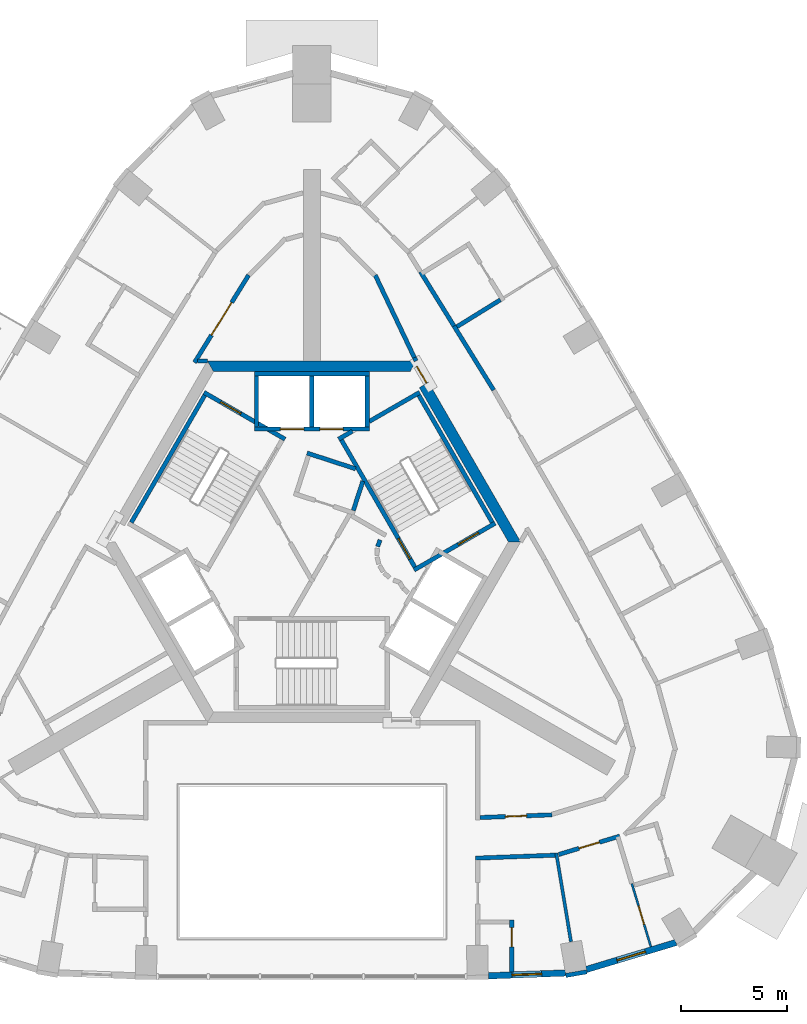
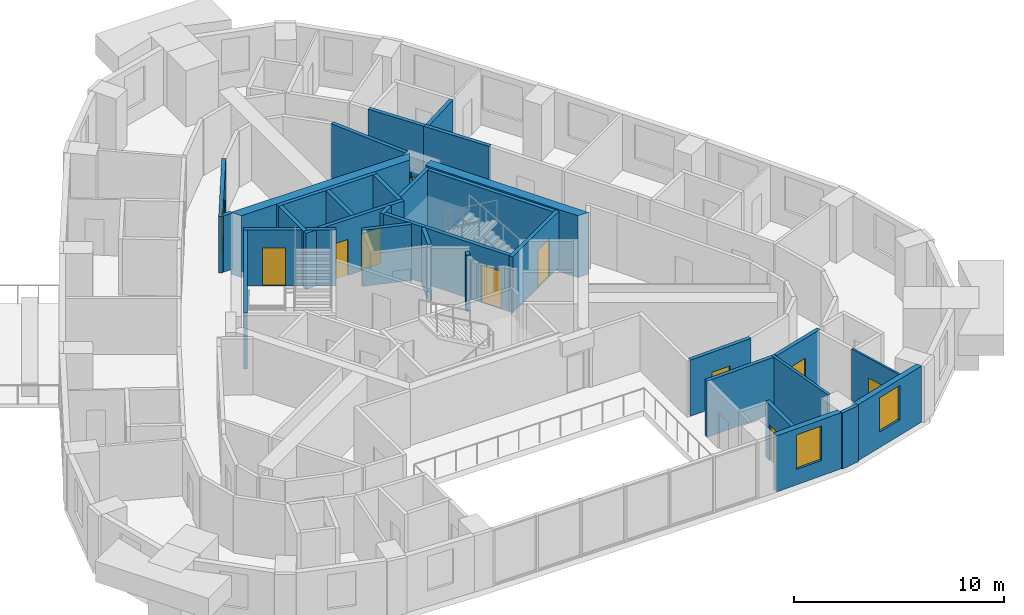
# One storey, part 6 of 11: 34 walls, 11 doors, 2 windows, 13 openings.
"""IFC4 building model written with IfcOpenShell, lengths in metres."""

from ifc_helpers import new_model, si_unit, direction, frame, frame_2d, origin, place, context, subcontext, project, spatial, polyline, rectangle, outline, extrude, material, layer, layer_set, type_object, element, fill, save


model = new_model("IFC4")

# Units and contexts
model_context = context("Model", 3, precision=1e-05, world=origin(), true_north=direction((0.0, 1.0)))
body_context = subcontext(model_context, "Body", "Model", "MODEL_VIEW")
ifc_project = project(units=[si_unit("LENGTHUNIT", "METRE"), si_unit("AREAUNIT", "SQUARE_METRE"), si_unit("VOLUMEUNIT", "CUBIC_METRE"), si_unit("PLANEANGLEUNIT", "RADIAN"), si_unit("MASSUNIT", "GRAM", prefix="KILO")], contexts=[model_context])

# Site, building, storey
site_placement = place(None, origin())
site = spatial("IfcSite", under=ifc_project, at=site_placement, CompositionType="ELEMENT")
building_placement = place(site_placement, origin())
building = spatial("IfcBuilding", under=site, at=building_placement, Name="Entoto Arch Interchange Tower", CompositionType="ELEMENT")
storey_placement = place(building_placement, frame((0.0, 0.0, 304.39990234375)))
storey = spatial("IfcBuildingStorey", under=building, at=storey_placement, Name="L71", CompositionType="ELEMENT", Elevation=304.39990234375)

# Wall, opening, door
ifc_material_1 = material(Name="Reinforced concrete C40/50", Category="concrete")
ifc_layer_1 = layer(ifc_material_1, 0.199951171875)
ifc_layer_set_1 = layer_set([ifc_layer_1], Name="Reinforced concrete C40/50")
wall_type_1 = type_object("IfcWallType", Name="CORE GAP INFILL WALL", PredefinedType="PARTITIONING", material=ifc_layer_set_1)
wall_1_placement = place(storey_placement, frame((5.39892578125, 9.947998046875, 0.0), z_axis=(0.0, 0.0, 1.0), x_axis=(-0.499882215713, 0.866093395895, 0.0)))
wall_1 = element("IfcWall", 1, at=wall_1_placement, inside=storey, type_object=wall_type_1, Name="wall:L71:gap2", PredefinedType="PARTITIONING", context=body_context, shape_type="SweptSolid", body=[
    extrude(rectangle(XDim=0.926025390625, YDim=0.199951171875, at=frame_2d((0.462890625, 0.0))), origin(), (0.0, 0.0, 1.0), 2.400146484375),
])
opening_1_placement = place(wall_1_placement, frame((0.01708984375, 0.0, 0.0)))
opening_1 = element("IfcOpeningElement", 2, at=opening_1_placement, cuts=wall_1, Name="Opening L71-D92", PredefinedType="OPENING", context=body_context, shape_type="SweptSolid", body=[
    extrude(rectangle(XDim=0.89990234375, YDim=2.10009765625, at=frame_2d((0.449951171875, 1.050048828125))), frame((0.0, 0.10986328125, 0.0), z_axis=(0.0, -1.0, 0.0), x_axis=(1.0, 0.0, 0.0)), (0.0, 0.0, 1.0), 0.219970703125),
])
ifc_material_2 = material(Name="Fire-rated Steel S235 door and frame", Category="steel")
door_type_1 = type_object("IfcDoorType", Name="DOOR FD-09 900x2100", OperationType="SINGLE_SWING_LEFT", PredefinedType="DOOR", material=ifc_material_2)
door_1_placement = place(opening_1_placement, origin())
door_1 = element("IfcDoor", 3, at=door_1_placement, inside=storey, type_object=door_type_1, Name="door:L71:gap2", OperationType="SINGLE_SWING_LEFT", OverallHeight=2.10009765625, OverallWidth=0.89990234375, PredefinedType="DOOR", context=body_context, shape_type="SweptSolid", body=[
    extrude(rectangle(XDim=0.89990234375, YDim=2.10009765625, at=frame_2d((0.449951171875, 1.050048828125))), frame((0.0, 0.02490234375, 0.0), z_axis=(0.0, -1.0, 0.0), x_axis=(1.0, 0.0, 0.0)), (0.0, 0.0, 1.0), 0.050048828125),
])
fill(opening_1, door_1)

# Walls
ifc_material_3 = material(Name="Concrete C40/50", Category="concrete")
ifc_layer_2 = layer(ifc_material_3, 0.5)
ifc_layer_set_2 = layer_set([ifc_layer_2], Name="Concrete C40/50")
wall_type_2 = type_object("IfcWallType", Name="Core wall 500 C40/50", PredefinedType="SHEAR", material=ifc_layer_set_2)
wall_2_placement = place(storey_placement, frame((0.0, 0.0, -0.33984375)))
element("IfcWall", 4, at=wall_2_placement, inside=storey, type_object=wall_type_2, Name="Core wall NE L71", PredefinedType="SHEAR", context=body_context, shape_type="SweptSolid", body=[
    extrude(outline(polyline([(5.486083984375, 9.998046875), (5.052978515625, 9.748046875), (9.238037109375, 2.5), (9.81494140625, 2.5), (5.486083984375, 9.998046875)])), origin(), (0.0, 0.0, 1.0), 3.599853515625),
])
wall_3_placement = place(storey_placement, frame((0.0, 0.0, -0.33984375)))
element("IfcWall", 5, at=wall_3_placement, inside=storey, type_object=wall_type_2, Name="Core wall N L71", PredefinedType="SHEAR", context=body_context, shape_type="SweptSolid", body=[
    extrude(outline(polyline([(4.906982421875, 11.0), (-4.906982421875, 11.0), (-4.618896484375, 10.5), (4.618896484375, 10.5), (4.906982421875, 11.0)])), origin(), (0.0, 0.0, 1.0), 3.599853515625),
])

# Wall, openings, doors
ifc_layer_3 = layer(ifc_material_3, 0.199951171875)
ifc_layer_set_3 = layer_set([ifc_layer_3], Name="Concrete C40/50")
wall_type_3 = type_object("IfcWallType", Name="LIFT SHAFT WALL 200", PredefinedType="STANDARD", material=ifc_layer_set_3)
wall_4_placement = place(storey_placement, frame((2.699951171875, 7.800048828125, 0.0), z_axis=(0.0, 0.0, 1.0), x_axis=(-1.0, 0.0, 0.0)))
wall_4 = element("IfcWall", 6, at=wall_4_placement, inside=storey, type_object=wall_type_3, Name="Shaft wall N1 front", PredefinedType="STANDARD", context=body_context, shape_type="SweptSolid", body=[
    extrude(rectangle(XDim=5.39990234375, YDim=0.199951171875, at=frame_2d((2.699951171875, 0.0))), origin(), (0.0, 0.0, 1.0), 3.260009765625),
])
opening_2_placement = place(wall_4_placement, frame((1.22509765625, 0.0, 0.0)))
opening_2 = element("IfcOpeningElement", 7, at=opening_2_placement, cuts=wall_4, Name="Opening LD-HR1-L71", PredefinedType="OPENING", context=body_context, shape_type="SweptSolid", body=[
    extrude(rectangle(XDim=1.10009765625, YDim=2.10009765625, at=frame_2d((0.550048828125, 1.050048828125))), frame((0.0, 0.10986328125, 0.0), z_axis=(0.0, -1.0, 0.0), x_axis=(1.0, 0.0, 0.0)), (0.0, 0.0, 1.0), 0.219970703125),
])
opening_3_placement = place(wall_4_placement, frame((3.074951171875, 0.0, 0.0)))
opening_3 = element("IfcOpeningElement", 8, at=opening_3_placement, cuts=wall_4, Name="Opening LD-HR2-L71", PredefinedType="OPENING", context=body_context, shape_type="SweptSolid", body=[
    extrude(rectangle(XDim=1.10009765625, YDim=2.10009765625, at=frame_2d((0.550048828125, 1.050048828125))), frame((0.0, 0.10986328125, 0.0), z_axis=(0.0, -1.0, 0.0), x_axis=(1.0, 0.0, 0.0)), (0.0, 0.0, 1.0), 0.219970703125),
])
ifc_material_4 = material(Name="Stainless steel 1.4301 panels", Category="steel")
door_type_2 = type_object("IfcDoorType", Name="LIFT LANDING DOOR LD1 1100x2100", OperationType="SLIDING_TO_LEFT", PredefinedType="DOOR", material=ifc_material_4)
door_2_placement = place(opening_2_placement, origin())
door_2 = element("IfcDoor", 9, at=door_2_placement, inside=storey, type_object=door_type_2, Name="Lift landing door HR1 L71", OperationType="SLIDING_TO_LEFT", OverallHeight=2.10009765625, OverallWidth=1.10009765625, PredefinedType="DOOR", context=body_context, shape_type="SweptSolid", body=[
    extrude(rectangle(XDim=1.10009765625, YDim=2.10009765625, at=frame_2d((0.550048828125, 1.050048828125))), frame((0.0, 0.02490234375, 0.0), z_axis=(0.0, -1.0, 0.0), x_axis=(1.0, 0.0, 0.0)), (0.0, 0.0, 1.0), 0.050048828125),
])
fill(opening_2, door_2)
door_3_placement = place(opening_3_placement, origin())
door_3 = element("IfcDoor", 10, at=door_3_placement, inside=storey, type_object=door_type_2, Name="Lift landing door HR2 L71", OperationType="SLIDING_TO_LEFT", OverallHeight=2.10009765625, OverallWidth=1.10009765625, PredefinedType="DOOR", context=body_context, shape_type="SweptSolid", body=[
    extrude(rectangle(XDim=1.10009765625, YDim=2.10009765625, at=frame_2d((0.550048828125, 1.050048828125))), frame((0.0, 0.02490234375, 0.0), z_axis=(0.0, -1.0, 0.0), x_axis=(1.0, 0.0, 0.0)), (0.0, 0.0, 1.0), 0.050048828125),
])
fill(opening_3, door_3)

# Walls
wall_5_placement = place(storey_placement, frame((2.699951171875, 10.39990234375, 0.0), z_axis=(0.0, 0.0, 1.0), x_axis=(-1.0, 0.0, 0.0)))
element("IfcWall", 11, at=wall_5_placement, inside=storey, type_object=wall_type_3, Name="Shaft wall N1 back", PredefinedType="STANDARD", context=body_context, shape_type="SweptSolid", body=[
    extrude(rectangle(XDim=5.39990234375, YDim=0.199951171875, at=frame_2d((2.699951171875, 0.0))), origin(), (0.0, 0.0, 1.0), 3.260009765625),
])
for number, where, z_axis, x_axis, name in (
    (12, (2.60009765625, 7.89990234375, 0.0), (0.0, 0.0, 1.0), (0.0, 1.0, 0.0), "Shaft wall N1 cross 1"),
    (13, (0.0, 7.89990234375, 0.0), (0.0, 0.0, 1.0), (0.0, 1.0, 0.0), "Shaft wall N1 cross 2"),
    (14, (-2.60009765625, 7.89990234375, 0.0), (0.0, 0.0, 1.0), (0.0, 1.0, 0.0), "Shaft wall N1 cross 3"),
):
    element("IfcWall", number, at=place(storey_placement, frame(where, z_axis=z_axis, x_axis=x_axis)), inside=storey, type_object=wall_type_3, Name=name, PredefinedType="STANDARD", context=body_context, shape_type="SweptSolid", body=[
        extrude(rectangle(XDim=2.400146484375, YDim=0.199951171875, at=frame_2d((1.2001953125, 0.0))), origin(), (0.0, 0.0, 1.0), 3.260009765625),
    ])

# Wall, opening, door
ifc_material_5 = material(Name="Gypsum board partition on steel studs", Category="steel")
ifc_layer_4 = layer(ifc_material_5, 0.10009765625)
ifc_layer_set_4 = layer_set([ifc_layer_4], Name="Gypsum board partition on steel studs")
wall_type_4 = type_object("IfcWallType", Name="PARTITION 100", PredefinedType="PARTITIONING", material=ifc_layer_set_4)
wall_6_placement = place(storey_placement, frame((15.0400390625, -13.55908203125, 0.0), z_axis=(0.0, 0.0, 1.0), x_axis=(0.288337370875, -0.957528882362, 0.0)))
wall_6 = element("IfcWall", 15, at=wall_6_placement, inside=storey, type_object=wall_type_4, Name="wall:L71:p093", PredefinedType="PARTITIONING", context=body_context, shape_type="SweptSolid", body=[
    extrude(rectangle(XDim=3.1005859375, YDim=0.10009765625, at=frame_2d((1.55029296875, 0.0))), origin(), (0.0, 0.0, 1.0), 3.260009765625),
])
opening_4_placement = place(wall_6_placement, frame((1.10009765625, 0.0, 0.0)))
opening_4 = element("IfcOpeningElement", 16, at=opening_4_placement, cuts=wall_6, Name="Opening L71-D04", PredefinedType="OPENING", context=body_context, shape_type="SweptSolid", body=[
    extrude(rectangle(XDim=0.89990234375, YDim=2.10009765625, at=frame_2d((0.449951171875, 1.050048828125))), frame((0.0, 0.06005859375, 0.0), z_axis=(0.0, -1.0, 0.0), x_axis=(1.0, 0.0, 0.0)), (0.0, 0.0, 1.0), 0.1201171875),
])
ifc_material_6 = material(Name="Timber door leaf in Steel S235 frame", Category="steel")
door_type_3 = type_object("IfcDoorType", Name="DOOR DS-09 900x2100", OperationType="SINGLE_SWING_LEFT", PredefinedType="DOOR", material=ifc_material_6)
door_4_placement = place(opening_4_placement, origin())
door_4 = element("IfcDoor", 17, at=door_4_placement, inside=storey, type_object=door_type_3, Name="door:L71:04", OperationType="SINGLE_SWING_LEFT", OverallHeight=2.10009765625, OverallWidth=0.89990234375, PredefinedType="DOOR", context=body_context, shape_type="SweptSolid", body=[
    extrude(rectangle(XDim=0.89990234375, YDim=2.10009765625, at=frame_2d((0.449951171875, 1.050048828125))), frame((0.0, 0.02490234375, 0.0), z_axis=(0.0, -1.0, 0.0), x_axis=(1.0, 0.0, 0.0)), (0.0, 0.0, 1.0), 0.050048828125),
])
fill(opening_4, door_4)

# Walls
ifc_layer_5 = layer(ifc_material_5, 0.14990234375)
ifc_layer_set_5 = layer_set([ifc_layer_5], Name="Gypsum board partition on steel studs")
wall_type_5 = type_object("IfcWallType", Name="PARTITION 150", PredefinedType="PARTITIONING", material=ifc_layer_set_5)
wall_7_placement = place(storey_placement, frame((11.488037109375, -12.123046875, 0.0), z_axis=(0.0, 0.0, 1.0), x_axis=(0.164174159643, -0.986431368776, 0.0)))
element("IfcWall", 18, at=wall_7_placement, inside=storey, type_object=wall_type_5, Name="wall:L71:p092", PredefinedType="PARTITIONING", context=body_context, shape_type="SweptSolid", body=[
    extrude(rectangle(XDim=4.226318359375, YDim=0.14990234375, at=frame_2d((2.11328125, 0.0))), origin(), (0.0, 0.0, 1.0), 3.260009765625),
])
ifc_layer_6 = layer(ifc_material_5, 0.199951171875)
ifc_layer_set_6 = layer_set([ifc_layer_6], Name="Gypsum board partition on steel studs")
wall_type_6 = type_object("IfcWallType", Name="PARTITION 200", PredefinedType="PARTITIONING", material=ifc_layer_set_6)
wall_8_placement = place(storey_placement, frame((2.06005859375, 5.930908203125, 0.0), z_axis=(0.0, 0.0, 1.0), x_axis=(-0.95092855133, 0.309410552932, 0.0)))
element("IfcWall", 19, at=wall_8_placement, inside=storey, type_object=wall_type_6, Name="wall:L71:p001", PredefinedType="PARTITIONING", context=body_context, shape_type="SweptSolid", body=[
    extrude(rectangle(XDim=2.398681640625, YDim=0.199951171875, at=frame_2d((1.19921875, 0.0))), origin(), (0.0, 0.0, 1.0), 3.260009765625),
])
wall_9_placement = place(storey_placement, frame((1.949951171875, 3.969970703125, 0.0), z_axis=(0.0, 0.0, 1.0), x_axis=(0.308583003896, 0.951197418892, 0.0)))
element("IfcWall", 20, at=wall_9_placement, inside=storey, type_object=wall_type_6, Name="wall:L71:p004", PredefinedType="PARTITIONING", context=body_context, shape_type="SweptSolid", body=[
    extrude(rectangle(XDim=1.44873046875, YDim=0.199951171875, at=frame_2d((0.724365234375, 0.0))), origin(), (0.0, 0.0, 1.0), 3.260009765625),
])
wall_10_placement = place(storey_placement, frame((4.89599609375, 11.0, 0.0), z_axis=(0.0, 0.0, 1.0), x_axis=(-0.428451014387, 0.903565010539, 0.0)))
element("IfcWall", 21, at=wall_10_placement, inside=storey, type_object=wall_type_6, Name="wall:L71:p005", PredefinedType="PARTITIONING", context=body_context, shape_type="SweptSolid", body=[
    extrude(rectangle(XDim=0.172607421875, YDim=0.199951171875, at=frame_2d((0.08642578125, 0.0))), origin(), (0.0, 0.0, 1.0), 2.400146484375),
])

# Wall, opening, door
wall_11_placement = place(storey_placement, frame((-2.968994140625, 15.032958984375, 0.0), z_axis=(0.0, 0.0, 1.0), x_axis=(-0.526330241425, -0.85028023437, 0.0)))
wall_11 = element("IfcWall", 22, at=wall_11_placement, inside=storey, type_object=wall_type_6, Name="wall:L71:p010", PredefinedType="PARTITIONING", context=body_context, shape_type="SweptSolid", body=[
    extrude(rectangle(XDim=4.827880859375, YDim=0.199951171875, at=frame_2d((2.4140625, 0.0))), origin(), (0.0, 0.0, 1.0), 3.260009765625),
])
opening_5_placement = place(wall_11_placement, frame((1.513916015625, 0.0, 0.0)))
opening_5 = element("IfcOpeningElement", 23, at=opening_5_placement, cuts=wall_11, Name="Opening L71-D27", PredefinedType="OPENING", context=body_context, shape_type="SweptSolid", body=[
    extrude(rectangle(XDim=1.800048828125, YDim=2.10009765625, at=frame_2d((0.89990234375, 1.050048828125))), frame((0.0, 0.10986328125, 0.0), z_axis=(0.0, -1.0, 0.0), x_axis=(1.0, 0.0, 0.0)), (0.0, 0.0, 1.0), 0.219970703125),
])
door_type_4 = type_object("IfcDoorType", Name="DOOR DD-18 1800x2100", OperationType="DOUBLE_DOOR_SINGLE_SWING", PredefinedType="DOOR", material=ifc_material_6)
door_5_placement = place(opening_5_placement, origin())
door_5 = element("IfcDoor", 24, at=door_5_placement, inside=storey, type_object=door_type_4, Name="door:L71:27", OperationType="DOUBLE_DOOR_SINGLE_SWING", OverallHeight=2.10009765625, OverallWidth=1.800048828125, PredefinedType="DOOR", context=body_context, shape_type="SweptSolid", body=[
    extrude(rectangle(XDim=1.800048828125, YDim=2.10009765625, at=frame_2d((0.89990234375, 1.050048828125))), frame((0.0, 0.02490234375, 0.0), z_axis=(0.0, -1.0, 0.0), x_axis=(1.0, 0.0, 0.0)), (0.0, 0.0, 1.0), 0.050048828125),
])
fill(opening_5, door_5)

# Wall
wall_12_placement = place(storey_placement, frame((-5.363037109375, 11.0009765625, 0.0), z_axis=(0.0, 0.0, 1.0), x_axis=(1.0, 0.0, 0.0)))
element("IfcWall", 25, at=wall_12_placement, inside=storey, type_object=wall_type_6, Name="wall:L71:p011", PredefinedType="PARTITIONING", context=body_context, shape_type="SweptSolid", body=[
    extrude(rectangle(XDim=0.47314453125, YDim=0.199951171875, at=frame_2d((0.236572265625, 0.0))), origin(), (0.0, 0.0, 1.0), 3.260009765625),
])

# Wall, opening, door
wall_13_placement = place(storey_placement, frame((7.89990234375, -10.455078125, 0.0), z_axis=(0.0, 0.0, 1.0), x_axis=(0.999297278907, 0.037482640915, 0.0)))
wall_13 = element("IfcWall", 26, at=wall_13_placement, inside=storey, type_object=wall_type_6, Name="wall:L71:p012", PredefinedType="PARTITIONING", context=body_context, shape_type="SweptSolid", body=[
    extrude(rectangle(XDim=3.3935546875, YDim=0.199951171875, at=frame_2d((1.69677734375, 0.0))), origin(), (0.0, 0.0, 1.0), 3.260009765625),
])
opening_6_placement = place(wall_13_placement, frame((1.196044921875, 0.0, 0.0)))
opening_6 = element("IfcOpeningElement", 27, at=opening_6_placement, cuts=wall_13, Name="Opening L71-D25", PredefinedType="OPENING", context=body_context, shape_type="SweptSolid", body=[
    extrude(rectangle(XDim=1.0, YDim=2.10009765625, at=frame_2d((0.5, 1.050048828125))), frame((0.0, 0.10986328125, 0.0), z_axis=(0.0, -1.0, 0.0), x_axis=(1.0, 0.0, 0.0)), (0.0, 0.0, 1.0), 0.219970703125),
])
door_type_5 = type_object("IfcDoorType", Name="DOOR DS-10 1000x2100", OperationType="SINGLE_SWING_LEFT", PredefinedType="DOOR", material=ifc_material_6)
door_6_placement = place(opening_6_placement, origin())
door_6 = element("IfcDoor", 28, at=door_6_placement, inside=storey, type_object=door_type_5, Name="door:L71:25", OperationType="SINGLE_SWING_LEFT", OverallHeight=2.10009765625, OverallWidth=1.0, PredefinedType="DOOR", context=body_context, shape_type="SweptSolid", body=[
    extrude(rectangle(XDim=1.0, YDim=2.10009765625, at=frame_2d((0.5, 1.050048828125))), frame((0.0, 0.02490234375, 0.0), z_axis=(0.0, -1.0, 0.0), x_axis=(1.0, 0.0, 0.0)), (0.0, 0.0, 1.0), 0.050048828125),
])
fill(opening_6, door_6)

# Wall
wall_14_placement = place(storey_placement, frame((11.530029296875, -12.219970703125, 0.0), z_axis=(0.0, 0.0, 1.0), x_axis=(-0.999293554816, -0.037581794833, 0.0)))
element("IfcWall", 29, at=wall_14_placement, inside=storey, type_object=wall_type_6, Name="wall:L71:p031", PredefinedType="PARTITIONING", context=body_context, shape_type="SweptSolid", body=[
    extrude(rectangle(XDim=3.832763671875, YDim=0.199951171875, at=frame_2d((1.91650390625, 0.0))), origin(), (0.0, 0.0, 1.0), 3.260009765625),
])

# Wall, opening, door
wall_15_placement = place(storey_placement, frame((14.472900390625, -11.327880859375, 0.0), z_axis=(0.0, 0.0, 1.0), x_axis=(-0.957599689503, -0.288102125406, 0.0)))
wall_15 = element("IfcWall", 30, at=wall_15_placement, inside=storey, type_object=wall_type_6, Name="wall:L71:p032", PredefinedType="PARTITIONING", context=body_context, shape_type="SweptSolid", body=[
    extrude(rectangle(XDim=2.9990234375, YDim=0.199951171875, at=frame_2d((1.49951171875, 0.0))), origin(), (0.0, 0.0, 1.0), 3.260009765625),
])
opening_7_placement = place(wall_15_placement, frame((1.0, 0.0, 0.0)))
opening_7 = element("IfcOpeningElement", 31, at=opening_7_placement, cuts=wall_15, Name="Opening L71-D03", PredefinedType="OPENING", context=body_context, shape_type="SweptSolid", body=[
    extrude(rectangle(XDim=1.0, YDim=2.10009765625, at=frame_2d((0.5, 1.050048828125))), frame((0.0, 0.10986328125, 0.0), z_axis=(0.0, -1.0, 0.0), x_axis=(1.0, 0.0, 0.0)), (0.0, 0.0, 1.0), 0.219970703125),
])
door_type_6 = type_object("IfcDoorType", Name="DOOR FD-10 1000x2100", OperationType="SINGLE_SWING_LEFT", PredefinedType="DOOR", material=ifc_material_2)
door_7_placement = place(opening_7_placement, origin())
door_7 = element("IfcDoor", 32, at=door_7_placement, inside=storey, type_object=door_type_6, Name="door:L71:03", OperationType="SINGLE_SWING_LEFT", OverallHeight=2.10009765625, OverallWidth=1.0, PredefinedType="DOOR", context=body_context, shape_type="SweptSolid", body=[
    extrude(rectangle(XDim=1.0, YDim=2.10009765625, at=frame_2d((0.5, 1.050048828125))), frame((0.0, 0.02490234375, 0.0), z_axis=(0.0, -1.0, 0.0), x_axis=(1.0, 0.0, 0.0)), (0.0, 0.0, 1.0), 0.050048828125),
])
fill(opening_7, door_7)

# Walls
wall_16_placement = place(storey_placement, frame((6.68310546875, 12.64208984375, 0.0), z_axis=(0.0, 0.0, 1.0), x_axis=(0.526290465295, -0.850304854825, 0.0)))
element("IfcWall", 33, at=wall_16_placement, inside=storey, type_object=wall_type_6, Name="wall:L71:p040", PredefinedType="PARTITIONING", context=body_context, shape_type="SweptSolid", body=[
    extrude(rectangle(XDim=3.53759765625, YDim=0.199951171875, at=frame_2d((1.768798828125, 0.0))), origin(), (0.0, 0.0, 1.0), 3.260009765625),
])
wall_17_placement = place(storey_placement, frame((5.10400390625, 15.193115234375, 0.0), z_axis=(0.0, 0.0, 1.0), x_axis=(0.526329401671, -0.850280754184, 0.0)))
element("IfcWall", 34, at=wall_17_placement, inside=storey, type_object=wall_type_6, Name="wall:L71:p043", PredefinedType="PARTITIONING", context=body_context, shape_type="SweptSolid", body=[
    extrude(rectangle(XDim=3.000244140625, YDim=0.199951171875, at=frame_2d((1.5, 0.0))), origin(), (0.0, 0.0, 1.0), 3.260009765625),
])
wall_18_placement = place(storey_placement, frame((3.2080078125, 2.592041015625, 0.0), z_axis=(0.0, 0.0, 1.0), x_axis=(-0.337388820924, -0.941365382578, 0.0)))
element("IfcWall", 35, at=wall_18_placement, inside=storey, type_object=wall_type_6, Name="wall:L71:p066", PredefinedType="PARTITIONING", context=body_context, shape_type="SweptSolid", body=[
    extrude(rectangle(XDim=0.337890625, YDim=0.199951171875, at=frame_2d((0.1689453125, 0.0))), origin(), (0.0, 0.0, 1.0), 3.260009765625),
])

# Wall, opening, door
wall_19_placement = place(storey_placement, frame((9.39990234375, -17.7041015625, 0.0), z_axis=(0.0, 0.0, 1.0), x_axis=(0.0, 1.0, 0.0)))
wall_19 = element("IfcWall", 36, at=wall_19_placement, inside=storey, type_object=wall_type_6, Name="wall:L71:p090", PredefinedType="PARTITIONING", context=body_context, shape_type="SweptSolid", body=[
    extrude(rectangle(XDim=2.440185546875, YDim=0.199951171875, at=frame_2d((1.22021484375, 0.0))), origin(), (0.0, 0.0, 1.0), 3.260009765625),
])
opening_8_placement = place(wall_19_placement, frame((1.172119140625, 0.0, 0.0)))
opening_8 = element("IfcOpeningElement", 37, at=opening_8_placement, cuts=wall_19, Name="Opening L71-D02", PredefinedType="OPENING", context=body_context, shape_type="SweptSolid", body=[
    extrude(rectangle(XDim=0.89990234375, YDim=2.10009765625, at=frame_2d((0.449951171875, 1.050048828125))), frame((0.0, 0.10986328125, 0.0), z_axis=(0.0, -1.0, 0.0), x_axis=(1.0, 0.0, 0.0)), (0.0, 0.0, 1.0), 0.219970703125),
])
door_8_placement = place(opening_8_placement, origin())
door_8 = element("IfcDoor", 38, at=door_8_placement, inside=storey, type_object=door_type_3, Name="door:L71:02", OperationType="SINGLE_SWING_RIGHT", OverallHeight=2.10009765625, OverallWidth=0.89990234375, PredefinedType="DOOR", context=body_context, shape_type="SweptSolid", body=[
    extrude(rectangle(XDim=0.89990234375, YDim=2.10009765625, at=frame_2d((0.449951171875, 1.050048828125))), frame((0.0, 0.02490234375, 0.0), z_axis=(0.0, -1.0, 0.0), x_axis=(1.0, 0.0, 0.0)), (0.0, 0.0, 1.0), 0.050048828125),
])
fill(opening_8, door_8)

# Walls
wall_20_placement = place(storey_placement, frame((6.821044921875, 12.610107421875, 0.0), z_axis=(0.0, 0.0, 1.0), x_axis=(0.850254303895, 0.526372129494, 0.0)))
element("IfcWall", 39, at=wall_20_placement, inside=storey, type_object=wall_type_6, Name="wall:L71:p105", PredefinedType="PARTITIONING", context=body_context, shape_type="SweptSolid", body=[
    extrude(rectangle(XDim=2.3994140625, YDim=0.199951171875, at=frame_2d((1.19970703125, 0.0))), origin(), (0.0, 0.0, 1.0), 3.260009765625),
])
wall_21_placement = place(storey_placement, frame((4.822021484375, 11.156005859375, 0.0), z_axis=(0.0, 0.0, 1.0), x_axis=(-0.429057973289, 0.903276953961, 0.0)))
element("IfcWall", 40, at=wall_21_placement, inside=storey, type_object=wall_type_6, Name="wall:L71:p005", PredefinedType="PARTITIONING", context=body_context, shape_type="SweptSolid", body=[
    extrude(rectangle(XDim=4.2978515625, YDim=0.199951171875, at=frame_2d((2.14892578125, 0.0))), origin(), (0.0, 0.0, 1.0), 3.260009765625),
])

# Wall, opening, door
ifc_layer_7 = layer(ifc_material_3, 0.199951171875)
ifc_layer_set_7 = layer_set([ifc_layer_7], Name="Concrete C40/50")
wall_type_7 = type_object("IfcWallType", Name="STAIR ENCLOSURE WALL 200", PredefinedType="STANDARD", material=ifc_layer_set_7)
wall_22_placement = place(storey_placement, frame((4.805908203125, 1.176025390625, 0.0), z_axis=(0.0, 0.0, 1.0), x_axis=(0.866059941101, 0.499940174841, 0.0)))
wall_22 = element("IfcWall", 41, at=wall_22_placement, inside=storey, type_object=wall_type_7, Name="Stair wall ST-NE near", PredefinedType="STANDARD", context=body_context, shape_type="SweptSolid", body=[
    extrude(rectangle(XDim=4.400390625, YDim=0.199951171875, at=frame_2d((2.2001953125, 0.0))), origin(), (0.0, 0.0, 1.0), 3.260009765625),
])
opening_9_placement = place(wall_22_placement, frame((2.39990234375, 0.0, 0.0)))
opening_9 = element("IfcOpeningElement", 42, at=opening_9_placement, cuts=wall_22, Name="Opening SD-ST-NE-L71-E", PredefinedType="OPENING", context=body_context, shape_type="SweptSolid", body=[
    extrude(rectangle(XDim=1.10009765625, YDim=2.199951171875, at=frame_2d((0.550048828125, 1.10009765625))), frame((0.0, 0.10986328125, 0.0), z_axis=(0.0, -1.0, 0.0), x_axis=(1.0, 0.0, 0.0)), (0.0, 0.0, 1.0), 0.219970703125),
])
ifc_material_7 = material(Name="Steel S235", Category="steel")
door_type_7 = type_object("IfcDoorType", Name="STAIR DOOR SD1 1100x2200", OperationType="SINGLE_SWING_LEFT", PredefinedType="DOOR", material=ifc_material_7)
door_9_placement = place(opening_9_placement, origin())
door_9 = element("IfcDoor", 43, at=door_9_placement, inside=storey, type_object=door_type_7, Name="Stair door ST-NE L71 end", OperationType="SINGLE_SWING_LEFT", OverallHeight=2.199951171875, OverallWidth=1.10009765625, PredefinedType="DOOR", context=body_context, shape_type="SweptSolid", body=[
    extrude(rectangle(XDim=1.10009765625, YDim=2.199951171875, at=frame_2d((0.550048828125, 1.10009765625))), frame((0.0, 0.02490234375, 0.0), z_axis=(0.0, -1.0, 0.0), x_axis=(1.0, 0.0, 0.0)), (0.0, 0.0, 1.0), 0.050048828125),
])
fill(opening_9, door_9)

# Walls
wall_23_placement = place(storey_placement, frame((2.699951171875, 8.157958984375, 0.0), z_axis=(0.0, 0.0, 1.0), x_axis=(0.86611865017, 0.499838457731, 0.0)))
element("IfcWall", 44, at=wall_23_placement, inside=storey, type_object=wall_type_7, Name="Stair wall ST-NE far", PredefinedType="STANDARD", context=body_context, shape_type="SweptSolid", body=[
    extrude(rectangle(XDim=2.73291015625, YDim=0.199951171875, at=frame_2d((1.366455078125, 0.0))), origin(), (0.0, 0.0, 1.0), 3.260009765625),
])
wall_24_placement = place(storey_placement, frame((1.256103515625, 7.323974609375, 0.0), z_axis=(0.0, 0.0, 1.0), x_axis=(0.865915093549, 0.500191014278, 0.0)))
element("IfcWall", 45, at=wall_24_placement, inside=storey, type_object=wall_type_7, Name="Stair wall ST-NE far return", PredefinedType="STANDARD", context=body_context, shape_type="SweptSolid", body=[
    extrude(rectangle(XDim=0.751708984375, YDim=0.199951171875, at=frame_2d((0.3759765625, 0.0))), origin(), (0.0, 0.0, 1.0), 3.260009765625),
])

# Wall, opening, door
wall_25_placement = place(storey_placement, frame((4.843017578125, 1.31201171875, 0.0), z_axis=(0.0, 0.0, 1.0), x_axis=(-0.499963383562, 0.866046543262, 0.0)))
wall_25 = element("IfcWall", 46, at=wall_25_placement, inside=storey, type_object=wall_type_7, Name="Stair wall ST-NE hall", PredefinedType="STANDARD", context=body_context, shape_type="SweptSolid", body=[
    extrude(rectangle(XDim=6.900390625, YDim=0.199951171875, at=frame_2d((3.4501953125, 0.0))), origin(), (0.0, 0.0, 1.0), 3.260009765625),
])
opening_10_placement = place(wall_25_placement, frame((0.449951171875, 0.0, 0.0)))
opening_10 = element("IfcOpeningElement", 47, at=opening_10_placement, cuts=wall_25, Name="Opening SD-ST-NE-L71", PredefinedType="OPENING", context=body_context, shape_type="SweptSolid", body=[
    extrude(rectangle(XDim=1.10009765625, YDim=2.199951171875, at=frame_2d((0.550048828125, 1.10009765625))), frame((0.0, 0.10986328125, 0.0), z_axis=(0.0, -1.0, 0.0), x_axis=(1.0, 0.0, 0.0)), (0.0, 0.0, 1.0), 0.219970703125),
])
door_10_placement = place(opening_10_placement, origin())
door_10 = element("IfcDoor", 48, at=door_10_placement, inside=storey, type_object=door_type_7, Name="Stair door ST-NE L71", OperationType="SINGLE_SWING_LEFT", OverallHeight=2.199951171875, OverallWidth=1.10009765625, PredefinedType="DOOR", context=body_context, shape_type="SweptSolid", body=[
    extrude(rectangle(XDim=1.10009765625, YDim=2.199951171875, at=frame_2d((0.550048828125, 1.10009765625))), frame((0.0, 0.02490234375, 0.0), z_axis=(0.0, -1.0, 0.0), x_axis=(1.0, 0.0, 0.0)), (0.0, 0.0, 1.0), 0.050048828125),
])
fill(opening_10, door_10)

# Wall
wall_26_placement = place(storey_placement, frame((8.47998046875, 3.412109375, 0.0), z_axis=(0.0, 0.0, 1.0), x_axis=(-0.499978703459, 0.866037698999, 0.0)))
element("IfcWall", 49, at=wall_26_placement, inside=storey, type_object=wall_type_7, Name="Stair wall ST-NE back", PredefinedType="STANDARD", context=body_context, shape_type="SweptSolid", body=[
    extrude(rectangle(XDim=6.900146484375, YDim=0.199951171875, at=frame_2d((3.4501953125, 0.0))), origin(), (0.0, 0.0, 1.0), 3.260009765625),
])

# Wall, opening, door
wall_27_placement = place(storey_placement, frame((-1.256103515625, 7.323974609375, 0.0), z_axis=(0.0, 0.0, 1.0), x_axis=(-0.866046073146, 0.499964197906, 0.0)))
wall_27 = element("IfcWall", 50, at=wall_27_placement, inside=storey, type_object=wall_type_7, Name="Stair wall ST-NW near", PredefinedType="STANDARD", context=body_context, shape_type="SweptSolid", body=[
    extrude(rectangle(XDim=4.400146484375, YDim=0.199951171875, at=frame_2d((2.2001953125, 0.0))), origin(), (0.0, 0.0, 1.0), 3.260009765625),
])
opening_11_placement = place(wall_27_placement, frame((2.39990234375, 0.0, 0.0)))
opening_11 = element("IfcOpeningElement", 51, at=opening_11_placement, cuts=wall_27, Name="Opening SD-ST-NW-L71-E", PredefinedType="OPENING", context=body_context, shape_type="SweptSolid", body=[
    extrude(rectangle(XDim=1.10009765625, YDim=2.199951171875, at=frame_2d((0.550048828125, 1.10009765625))), frame((0.0, 0.10986328125, 0.0), z_axis=(0.0, -1.0, 0.0), x_axis=(1.0, 0.0, 0.0)), (0.0, 0.0, 1.0), 0.219970703125),
])
door_11_placement = place(opening_11_placement, origin())
door_11 = element("IfcDoor", 52, at=door_11_placement, inside=storey, type_object=door_type_7, Name="Stair door ST-NW L71 end", OperationType="SINGLE_SWING_LEFT", OverallHeight=2.199951171875, OverallWidth=1.10009765625, PredefinedType="DOOR", context=body_context, shape_type="SweptSolid", body=[
    extrude(rectangle(XDim=1.10009765625, YDim=2.199951171875, at=frame_2d((0.550048828125, 1.10009765625))), frame((0.0, 0.02490234375, 0.0), z_axis=(0.0, -1.0, 0.0), x_axis=(1.0, 0.0, 0.0)), (0.0, 0.0, 1.0), 0.050048828125),
])
fill(opening_11, door_11)

# Wall
wall_28_placement = place(storey_placement, frame((-5.030029296875, 9.387939453125, 0.0), z_axis=(0.0, 0.0, 1.0), x_axis=(-0.499978703459, -0.866037698999, 0.0)))
element("IfcWall", 53, at=wall_28_placement, inside=storey, type_object=wall_type_7, Name="Stair wall ST-NW back", PredefinedType="STANDARD", context=body_context, shape_type="SweptSolid", body=[
    extrude(rectangle(XDim=6.900146484375, YDim=0.199951171875, at=frame_2d((3.4501953125, 0.0))), origin(), (0.0, 0.0, 1.0), 3.260009765625),
])

# Wall, opening, window
ifc_material_8 = material(Name="Welded tuff (ignimbrite) cladding, warm buff", Category="masonry")
ifc_layer_8 = layer(ifc_material_8, 0.300048828125)
ifc_layer_set_8 = layer_set([ifc_layer_8], Name="Welded tuff (ignimbrite) cladding, warm buff")
wall_type_8 = type_object("IfcWallType", Name="STONE INFILL WALL 300", PredefinedType="STANDARD", material=ifc_layer_set_8)
wall_29_placement = place(storey_placement, frame((8.2958984375, -17.89501953125, 0.0), z_axis=(0.0, 0.0, 1.0), x_axis=(0.999306787149, 0.037228284377, 0.0)))
wall_29 = element("IfcWall", 54, at=wall_29_placement, inside=storey, type_object=wall_type_8, Name="Facade wall S-03 L71", PredefinedType="STANDARD", context=body_context, shape_type="SweptSolid", body=[
    extrude(rectangle(XDim=3.62646484375, YDim=0.300048828125, at=frame_2d((1.813232421875, 0.0))), origin(), (0.0, 0.0, 1.0), 3.260009765625),
])
opening_12_placement = place(wall_29_placement, frame((1.113037109375, 0.0, 0.89990234375)))
opening_12 = element("IfcOpeningElement", 55, at=opening_12_placement, cuts=wall_29, Name="Opening WH-B", PredefinedType="OPENING", context=body_context, shape_type="SweptSolid", body=[
    extrude(rectangle(XDim=1.39990234375, YDim=2.0, at=frame_2d((0.699951171875, 1.0))), frame((0.0, 0.16015625, 0.0), z_axis=(0.0, -1.0, 0.0), x_axis=(1.0, 0.0, 0.0)), (0.0, 0.0, 1.0), 0.320068359375),
])
ifc_material_9 = material(Name="Clear glass, low-e double glazed", Category="glass")
window_type = type_object("IfcWindowType", Name="WINDOW WH-B 1400x2000", PartitioningType="DOUBLE_PANEL_VERTICAL", PredefinedType="WINDOW", material=ifc_material_9)
window_1_placement = place(opening_12_placement, origin())
window_1 = element("IfcWindow", 56, at=window_1_placement, inside=storey, type_object=window_type, Name="Window WH-B S-03 L71", OverallHeight=2.0, OverallWidth=1.39990234375, PartitioningType="SINGLE_PANEL", PredefinedType="WINDOW", context=body_context, shape_type="SweptSolid", body=[
    extrude(rectangle(XDim=1.39990234375, YDim=2.0, at=frame_2d((0.699951171875, 1.0))), frame((0.0, 0.030029296875, 0.0), z_axis=(0.0, -1.0, 0.0), x_axis=(1.0, 0.0, 0.0)), (0.0, 0.0, 1.0), 0.06005859375),
])
fill(opening_12, window_1)

wall_30_placement = place(storey_placement, frame((12.904052734375, -17.595947265625, 0.0), z_axis=(0.0, 0.0, 1.0), x_axis=(0.957563190743, 0.288223412884, 0.0)))
wall_30 = element("IfcWall", 57, at=wall_30_placement, inside=storey, type_object=wall_type_8, Name="Facade wall SE-01 L71", PredefinedType="STANDARD", context=body_context, shape_type="SweptSolid", body=[
    extrude(rectangle(XDim=4.399658203125, YDim=0.300048828125, at=frame_2d((2.19970703125, 0.0))), origin(), (0.0, 0.0, 1.0), 3.260009765625),
])
opening_13_placement = place(wall_30_placement, frame((1.5, 0.0, 0.89990234375)))
opening_13 = element("IfcOpeningElement", 58, at=opening_13_placement, cuts=wall_30, Name="Opening WH-B", PredefinedType="OPENING", context=body_context, shape_type="SweptSolid", body=[
    extrude(rectangle(XDim=1.39990234375, YDim=2.0, at=frame_2d((0.699951171875, 1.0))), frame((0.0, 0.16015625, 0.0), z_axis=(0.0, -1.0, 0.0), x_axis=(1.0, 0.0, 0.0)), (0.0, 0.0, 1.0), 0.320068359375),
])
window_2_placement = place(opening_13_placement, origin())
window_2 = element("IfcWindow", 59, at=window_2_placement, inside=storey, type_object=window_type, Name="Window WH-B SE-01 L71", OverallHeight=2.0, OverallWidth=1.39990234375, PartitioningType="SINGLE_PANEL", PredefinedType="WINDOW", context=body_context, shape_type="SweptSolid", body=[
    extrude(rectangle(XDim=1.39990234375, YDim=2.0, at=frame_2d((0.699951171875, 1.0))), frame((0.0, 0.030029296875, 0.0), z_axis=(0.0, -1.0, 0.0), x_axis=(1.0, 0.0, 0.0)), (0.0, 0.0, 1.0), 0.06005859375),
])
fill(opening_13, window_2)

# Wall
ifc_layer_9 = layer(ifc_material_8, 0.199951171875)
ifc_layer_set_9 = layer_set([ifc_layer_9], Name="Welded tuff (ignimbrite) cladding, warm buff")
wall_type_9 = type_object("IfcWallType", Name="STONE PIER CLADDING 200", PredefinedType="STANDARD", material=ifc_layer_set_9)
wall_31_placement = place(storey_placement, frame((11.93798828125, -17.875, 0.0), z_axis=(0.0, 0.0, 1.0), x_axis=(0.985800545746, 0.167920469293, 0.0)))
element("IfcWall", 60, at=wall_31_placement, inside=storey, type_object=wall_type_9, Name="Stone pier S04 L71", PredefinedType="STANDARD", context=body_context, shape_type="SweptSolid", body=[
    extrude(rectangle(XDim=1.000244140625, YDim=0.199951171875, at=frame_2d((0.5, 0.0))), origin(), (0.0, 0.0, 1.0), 3.260009765625),
])

save(model, "model.ifc")
